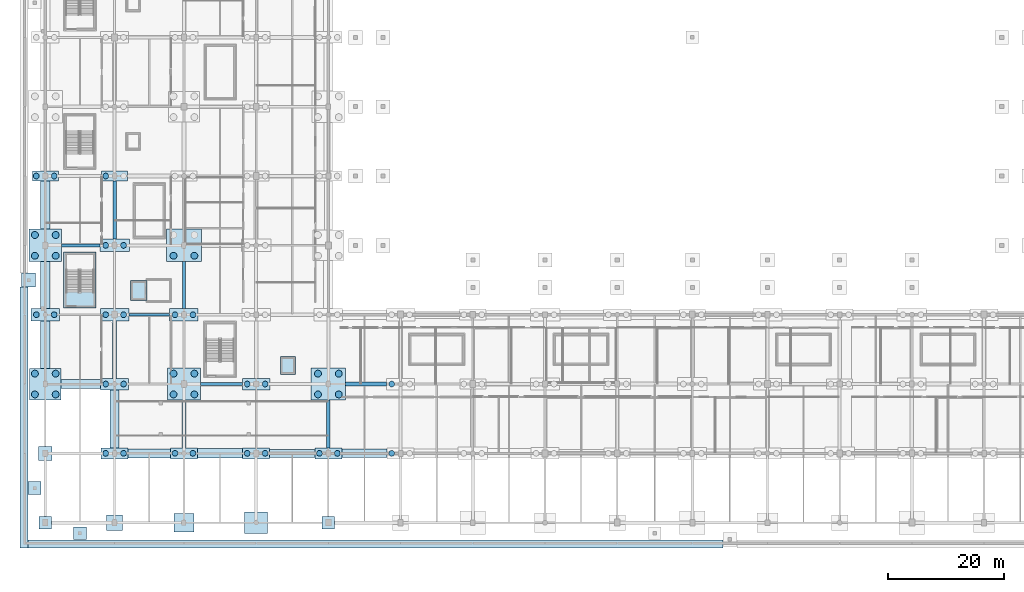
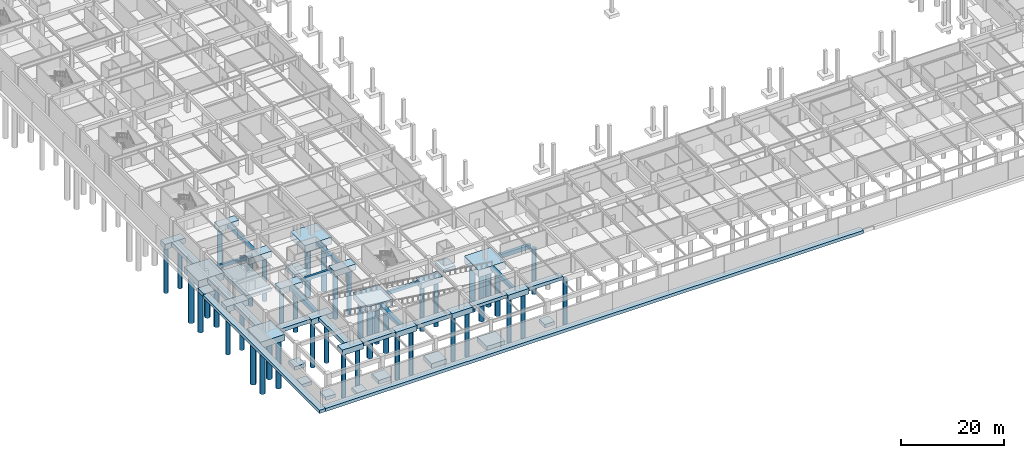
# One storey, part 1 of 56: 49 footings, 43 piles.
"""IFC4 building model written with IfcOpenShell, lengths in metres."""

from ifc_helpers import new_model, si_unit, direction, frame, origin, origin_2d, place, context, subcontext, project, spatial, polyline, rectangle, circle, outline, extrude, material, material_profile, profile_set, type_object, element, save


model = new_model("IFC4")

# Units and contexts
model_context = context("Model", 3, precision=1e-05, world=origin(), true_north=direction((0.0, 1.0)))
body_context = subcontext(model_context, "Body", "Model", "MODEL_VIEW")
ifc_project = project(units=[si_unit("LENGTHUNIT", "METRE"), si_unit("AREAUNIT", "SQUARE_METRE"), si_unit("VOLUMEUNIT", "CUBIC_METRE"), si_unit("PLANEANGLEUNIT", "RADIAN"), si_unit("MASSUNIT", "GRAM", prefix="KILO")], contexts=[model_context])

# Site, building, storey
site_placement = place(None, origin())
site = spatial("IfcSite", under=ifc_project, at=site_placement, CompositionType="ELEMENT")
building_placement = place(site_placement, origin())
building = spatial("IfcBuilding", under=site, at=building_placement, Name="Kazenohara Klinker Stadium", CompositionType="ELEMENT")
storey_placement = place(building_placement, frame((0.0, 0.0, -4.800048828125)))
storey = spatial("IfcBuildingStorey", under=building, at=storey_placement, Name="B01", CompositionType="ELEMENT", Elevation=-4.800048828125)

# Footings
ifc_material = material(Name="Concrete C35/45", Category="concrete")
footing_type_1 = type_object("IfcFootingType", Name="CAP-PC01", PredefinedType="PILE_CAP", material=ifc_material)
for number, where, z_axis, x_axis, name in (
    (1, (0.0, 60.0, -1.25), (0.0, 0.0, 1.0), (1.0, 0.0, 0.0), "Pile cap PC01 at 1/F"),
    (2, (12.0, 60.0, -1.25), (0.0, 0.0, 1.0), (1.0, 0.0, 0.0), "Pile cap PC01 at 2/F"),
):
    element("IfcFooting", number, at=place(storey_placement, frame(where, z_axis=z_axis, x_axis=x_axis)), inside=storey, type_object=footing_type_1, Name=name, PredefinedType="PILE_CAP", context=body_context, shape_type="SweptSolid", body=[
        extrude(rectangle(XDim=4.5, YDim=1.800048828125, at=origin_2d()), origin(), (0.0, 0.0, 1.0), 1.25),
    ])
footing_type_2 = type_object("IfcFootingType", Name="CAP-PC02", PredefinedType="PILE_CAP", material=ifc_material)
for number, where, z_axis, x_axis, name in (
    (3, (12.0, 12.0, -1.2998046875), (0.0, 0.0, 1.0), (1.0, 0.0, 0.0), "Pile cap PC02 at 2/B"),
    (4, (24.0, 12.0, -1.2998046875), (0.0, 0.0, 1.0), (1.0, 0.0, 0.0), "Pile cap PC02 at 3/B"),
    (5, (36.5, 12.0, -1.2998046875), (0.0, 0.0, 1.0), (1.0, 0.0, 0.0), "Pile cap PC02 at 4/B"),
    (6, (49.0, 12.0, -1.2998046875), (0.0, 0.0, 1.0), (1.0, 0.0, 0.0), "Pile cap PC02 at 5/B"),
):
    element("IfcFooting", number, at=place(storey_placement, frame(where, z_axis=z_axis, x_axis=x_axis)), inside=storey, type_object=footing_type_2, Name=name, PredefinedType="PILE_CAP", context=body_context, shape_type="SweptSolid", body=[
        extrude(rectangle(XDim=4.64990234375, YDim=1.89990234375, at=origin_2d()), origin(), (0.0, 0.0, 1.0), 1.300048828125),
    ])
footing_type_3 = type_object("IfcFootingType", Name="CAP-PC03", PredefinedType="PILE_CAP", material=ifc_material)
for number, where, z_axis, x_axis, name in (
    (7, (12.0, 24.0, -1.35009765625), (0.0, 0.0, 1.0), (1.0, 0.0, 0.0), "Pile cap PC03 at 2/C"),
    (8, (36.5, 24.0, -1.35009765625), (0.0, 0.0, 1.0), (1.0, 0.0, 0.0), "Pile cap PC03 at 4/C"),
):
    element("IfcFooting", number, at=place(storey_placement, frame(where, z_axis=z_axis, x_axis=x_axis)), inside=storey, type_object=footing_type_3, Name=name, PredefinedType="PILE_CAP", context=body_context, shape_type="SweptSolid", body=[
        extrude(rectangle(XDim=4.800048828125, YDim=2.0, at=origin_2d()), origin(), (0.0, 0.0, 1.0), 1.35009765625),
    ])
footing_type_4 = type_object("IfcFootingType", Name="CAP-PC04", PredefinedType="PILE_CAP", material=ifc_material)
for number, where, z_axis, x_axis, name in (
    (9, (0.0, 36.0, -1.39990234375), (0.0, 0.0, 1.0), (1.0, 0.0, 0.0), "Pile cap PC04 at 1/D"),
    (10, (12.0, 36.0, -1.39990234375), (0.0, 0.0, 1.0), (1.0, 0.0, 0.0), "Pile cap PC04 at 2/D"),
    (11, (24.0, 36.0, -1.39990234375), (0.0, 0.0, 1.0), (1.0, 0.0, 0.0), "Pile cap PC04 at 3/D"),
):
    element("IfcFooting", number, at=place(storey_placement, frame(where, z_axis=z_axis, x_axis=x_axis)), inside=storey, type_object=footing_type_4, Name=name, PredefinedType="PILE_CAP", context=body_context, shape_type="SweptSolid", body=[
        extrude(rectangle(XDim=4.949951171875, YDim=2.10009765625, at=origin_2d()), origin(), (0.0, 0.0, 1.0), 1.39990234375),
    ])
footing_type_5 = type_object("IfcFootingType", Name="CAP-PC05", PredefinedType="PILE_CAP", material=ifc_material)
footing_1_placement = place(storey_placement, frame((12.0, 48.0, -1.44970703125), z_axis=(0.0, 0.0, 1.0), x_axis=(1.0, 0.0, 0.0)))
element("IfcFooting", 12, at=footing_1_placement, inside=storey, type_object=footing_type_5, Name="Pile cap PC05 at 2/E", PredefinedType="PILE_CAP", context=body_context, shape_type="SweptSolid", body=[
    extrude(rectangle(XDim=5.10009765625, YDim=2.199951171875, at=origin_2d()), origin(), (0.0, 0.0, 1.0), 1.449951171875),
])
footing_type_6 = type_object("IfcFootingType", Name="CAP-PC08", PredefinedType="PILE_CAP", material=ifc_material)
footing_2_placement = place(storey_placement, frame((0.0, 24.0, -1.5), z_axis=(0.0, 0.0, 1.0), x_axis=(1.0, 0.0, 0.0)))
element("IfcFooting", 13, at=footing_2_placement, inside=storey, type_object=footing_type_6, Name="Pile cap PC08 at 1/C", PredefinedType="PILE_CAP", context=body_context, shape_type="SweptSolid", body=[
    extrude(rectangle(XDim=5.449951171875, YDim=5.449951171875, at=origin_2d()), origin(), (0.0, 0.0, 1.0), 1.5),
])
footing_type_7 = type_object("IfcFootingType", Name="CAP-PC10", PredefinedType="PILE_CAP", material=ifc_material)
for number, where, z_axis, x_axis, name in (
    (14, (0.0, 48.0, -1.60009765625), (0.0, 0.0, 1.0), (1.0, 0.0, 0.0), "Pile cap PC10 at 1/E"),
    (15, (24.0, 24.0, -1.60009765625), (0.0, 0.0, 1.0), (1.0, 0.0, 0.0), "Pile cap PC10 at 3/C"),
):
    element("IfcFooting", number, at=place(storey_placement, frame(where, z_axis=z_axis, x_axis=x_axis)), inside=storey, type_object=footing_type_7, Name=name, PredefinedType="PILE_CAP", context=body_context, shape_type="SweptSolid", body=[
        extrude(rectangle(XDim=5.699951171875, YDim=5.60009765625, at=origin_2d()), origin(), (0.0, 0.0, 1.0), 1.60009765625),
    ])
footing_type_8 = type_object("IfcFootingType", Name="CAP-PC12", PredefinedType="PILE_CAP", material=ifc_material)
for number, where, z_axis, x_axis, name in (
    (16, (24.0, 48.0, -1.69970703125), (0.0, 0.0, 1.0), (1.0, 0.0, 0.0), "Pile cap PC12 at 3/E"),
    (17, (49.0, 24.0, -1.69970703125), (0.0, 0.0, 1.0), (1.0, 0.0, 0.0), "Pile cap PC12 at 5/C"),
):
    element("IfcFooting", number, at=place(storey_placement, frame(where, z_axis=z_axis, x_axis=x_axis)), inside=storey, type_object=footing_type_8, Name=name, PredefinedType="PILE_CAP", context=body_context, shape_type="SweptSolid", body=[
        extrude(rectangle(XDim=6.0, YDim=5.60009765625, at=origin_2d()), origin(), (0.0, 0.0, 1.0), 1.699951171875),
    ])
footing_type_9 = type_object("IfcFootingType", Name="GBEAM-GB01", PredefinedType="FOOTING_BEAM", material=ifc_material)
footing_3_placement = place(storey_placement, frame((0.0, 0.0, -0.800048828125)))
element("IfcFooting", 18, at=footing_3_placement, inside=storey, type_object=footing_type_9, Name="Foundation tie beam GB01 1-2/E", PredefinedType="FOOTING_BEAM", context=body_context, shape_type="SweptSolid", body=[
    extrude(outline(polyline([(2.85009765625, 47.75), (9.449951171875, 47.75), (9.449951171875, 48.25), (2.85009765625, 48.25), (2.85009765625, 47.75)])), origin(), (0.0, 0.0, 1.0), 0.800048828125),
])
footing_4_placement = place(storey_placement, frame((0.0, 0.0, -0.800048828125)))
element("IfcFooting", 19, at=footing_4_placement, inside=storey, type_object=footing_type_9, Name="Foundation tie beam GB01 2-3/D", PredefinedType="FOOTING_BEAM", context=body_context, shape_type="SweptSolid", body=[
    extrude(outline(polyline([(14.47509765625, 35.75), (21.52490234375, 35.75), (21.52490234375, 36.25), (14.47509765625, 36.25), (14.47509765625, 35.75)])), origin(), (0.0, 0.0, 1.0), 0.800048828125),
])
footing_5_placement = place(storey_placement, frame((0.0, 0.0, -0.800048828125)))
element("IfcFooting", 20, at=footing_5_placement, inside=storey, type_object=footing_type_9, Name="Foundation tie beam GB01 3-4/C", PredefinedType="FOOTING_BEAM", context=body_context, shape_type="SweptSolid", body=[
    extrude(outline(polyline([(26.85009765625, 23.75), (34.10009765625, 23.75), (34.10009765625, 24.25), (26.85009765625, 24.25), (26.85009765625, 23.75)])), origin(), (0.0, 0.0, 1.0), 0.800048828125),
])
footing_type_10 = type_object("IfcFootingType", Name="GBEAM-GB02", PredefinedType="FOOTING_BEAM", material=ifc_material)
footing_6_placement = place(storey_placement, frame((0.0, 0.0, -0.8798828125)))
element("IfcFooting", 21, at=footing_6_placement, inside=storey, type_object=footing_type_10, Name="Foundation tie beam GB02 2/E-F", PredefinedType="FOOTING_BEAM", context=body_context, shape_type="SweptSolid", body=[
    extrude(outline(polyline([(11.7099609375, 49.10009765625), (12.2900390625, 49.10009765625), (12.2900390625, 59.10009765625), (11.7099609375, 59.10009765625), (11.7099609375, 49.10009765625)])), origin(), (0.0, 0.0, 1.0), 0.8798828125),
])
footing_7_placement = place(storey_placement, frame((0.0, 0.0, -0.8798828125)))
element("IfcFooting", 22, at=footing_7_placement, inside=storey, type_object=footing_type_10, Name="Foundation tie beam GB02 3/D-E", PredefinedType="FOOTING_BEAM", context=body_context, shape_type="SweptSolid", body=[
    extrude(outline(polyline([(23.7099609375, 37.050048828125), (24.2900390625, 37.050048828125), (24.2900390625, 45.199951171875), (23.7099609375, 45.199951171875), (23.7099609375, 37.050048828125)])), origin(), (0.0, 0.0, 1.0), 0.8798828125),
])
footing_8_placement = place(storey_placement, frame((0.0, 0.0, -0.8798828125)))
element("IfcFooting", 23, at=footing_8_placement, inside=storey, type_object=footing_type_10, Name="Foundation tie beam GB02 5/B-C", PredefinedType="FOOTING_BEAM", context=body_context, shape_type="SweptSolid", body=[
    extrude(outline(polyline([(48.7099609375, 12.949951171875), (49.2900390625, 12.949951171875), (49.2900390625, 21.199951171875), (48.7099609375, 21.199951171875), (48.7099609375, 12.949951171875)])), origin(), (0.0, 0.0, 1.0), 0.8798828125),
])
footing_type_11 = type_object("IfcFootingType", Name="GBEAM-GB03", PredefinedType="FOOTING_BEAM", material=ifc_material)
footing_9_placement = place(storey_placement, frame((0.0, 0.0, -0.9599609375)))
element("IfcFooting", 24, at=footing_9_placement, inside=storey, type_object=footing_type_11, Name="Foundation tie beam GB03 5-6/C", PredefinedType="FOOTING_BEAM", context=body_context, shape_type="SweptSolid", body=[
    extrude(outline(polyline([(52.0, 23.675048828125), (59.10009765625, 23.675048828125), (59.10009765625, 24.324951171875), (52.0, 24.324951171875), (52.0, 23.675048828125)])), origin(), (0.0, 0.0, 1.0), 0.9599609375),
])
footing_type_12 = type_object("IfcFootingType", Name="GBEAM-GB04", PredefinedType="FOOTING_BEAM", material=ifc_material)
footing_10_placement = place(storey_placement, frame((0.0, 0.0, -1.050048828125)))
element("IfcFooting", 25, at=footing_10_placement, inside=storey, type_object=footing_type_12, Name="Foundation tie beam GB04 2/C-D", PredefinedType="FOOTING_BEAM", context=body_context, shape_type="SweptSolid", body=[
    extrude(outline(polyline([(11.639892578125, 25.0), (12.360107421875, 25.0), (12.360107421875, 34.949951171875), (11.639892578125, 34.949951171875), (11.639892578125, 25.0)])), origin(), (0.0, 0.0, 1.0), 1.050048828125),
])
footing_11_placement = place(storey_placement, frame((0.0, 0.0, -1.050048828125)))
element("IfcFooting", 26, at=footing_11_placement, inside=storey, type_object=footing_type_12, Name="Foundation tie beam GB04 3/B-C", PredefinedType="FOOTING_BEAM", context=body_context, shape_type="SweptSolid", body=[
    extrude(outline(polyline([(23.639892578125, 12.949951171875), (24.360107421875, 12.949951171875), (24.360107421875, 21.199951171875), (23.639892578125, 21.199951171875), (23.639892578125, 12.949951171875)])), origin(), (0.0, 0.0, 1.0), 1.050048828125),
])
footing_type_13 = type_object("IfcFootingType", Name="PAD-PF01", PredefinedType="PAD_FOOTING", material=ifc_material)
for number, where, z_axis, x_axis, name in (
    (27, (0.0, 0.0, -0.7998046875), (0.0, 0.0, 1.0), (1.0, 0.0, 0.0), "Spread footing PF01 at 1/A"),
    (28, (49.0, 0.0, -0.7998046875), (0.0, 0.0, 1.0), (1.0, 0.0, 0.0), "Spread footing PF01 at 5/A"),
    (29, (-1.85009765625, 6.0, -0.7998046875), (0.0, 0.0, 1.0), (1.0, 0.0, 0.0), "Exterior plinth support pad PF01 PLAZA-WEST-1"),
    (30, (6.0, -1.85009765625, -0.7998046875), (0.0, 0.0, 1.0), (1.0, 0.0, 0.0), "Exterior plinth support pad PF01 PLAZA-SOUTH-1"),
):
    element("IfcFooting", number, at=place(storey_placement, frame(where, z_axis=z_axis, x_axis=x_axis)), inside=storey, type_object=footing_type_13, Name=name, PredefinedType="PAD_FOOTING", context=body_context, shape_type="SweptSolid", body=[
        extrude(rectangle(XDim=2.199951171875, YDim=2.199951171875, at=origin_2d()), origin(), (0.0, 0.0, 1.0), 0.800048828125),
    ])
footing_type_14 = type_object("IfcFootingType", Name="PAD-PF02", PredefinedType="PAD_FOOTING", material=ifc_material)
for number, where, z_axis, x_axis, name in (
    (31, (0.0, 12.0, -0.85009765625), (0.0, 0.0, 1.0), (1.0, 0.0, 0.0), "Spread footing PF02 at 1/B"),
    (32, (-2.89990234375, 42.0, -0.85009765625), (0.0, 0.0, 1.0), (1.0, 0.0, 0.0), "Barrier-free ramp foundation pad W1"),
):
    element("IfcFooting", number, at=place(storey_placement, frame(where, z_axis=z_axis, x_axis=x_axis)), inside=storey, type_object=footing_type_14, Name=name, PredefinedType="PAD_FOOTING", context=body_context, shape_type="SweptSolid", body=[
        extrude(rectangle(XDim=2.39990234375, YDim=2.39990234375, at=origin_2d()), origin(), (0.0, 0.0, 1.0), 0.85009765625),
    ])
footing_type_15 = type_object("IfcFootingType", Name="PAD-PF03", PredefinedType="PAD_FOOTING", material=ifc_material)
footing_12_placement = place(storey_placement, frame((0.0, 0.0, -1.5)))
element("IfcFooting", 33, at=footing_12_placement, inside=storey, type_object=footing_type_15, Name="Elevator pit foundation pad LF01", PredefinedType="PAD_FOOTING", context=body_context, shape_type="SweptSolid", body=[
    extrude(outline(polyline([(14.784912109375, 38.485107421875), (17.614990234375, 38.485107421875), (17.614990234375, 41.9150390625), (14.784912109375, 41.9150390625), (14.784912109375, 38.485107421875)])), origin(), (0.0, 0.0, 1.0), 0.85009765625),
])
footing_13_placement = place(storey_placement, frame((0.0, 0.0, -1.5)))
element("IfcFooting", 34, at=footing_13_placement, inside=storey, type_object=footing_type_15, Name="Elevator pit foundation pad LP03", PredefinedType="PAD_FOOTING", context=body_context, shape_type="SweptSolid", body=[
    extrude(outline(polyline([(40.68505859375, 25.635009765625), (43.31494140625, 25.635009765625), (43.31494140625, 28.764892578125), (40.68505859375, 28.764892578125), (40.68505859375, 25.635009765625)])), origin(), (0.0, 0.0, 1.0), 0.85009765625),
])
footing_type_16 = type_object("IfcFootingType", Name="PAD-PF04", PredefinedType="PAD_FOOTING", material=ifc_material)
footing_14_placement = place(storey_placement, frame((12.0, 0.0, -0.94970703125), z_axis=(0.0, 0.0, 1.0), x_axis=(1.0, 0.0, 0.0)))
element("IfcFooting", 35, at=footing_14_placement, inside=storey, type_object=footing_type_16, Name="Spread footing PF04 at 2/A", PredefinedType="PAD_FOOTING", context=body_context, shape_type="SweptSolid", body=[
    extrude(rectangle(XDim=2.800048828125, YDim=2.699951171875, at=origin_2d()), origin(), (0.0, 0.0, 1.0), 0.949951171875),
])
footing_15_placement = place(storey_placement, frame((0.0, 0.0, -1.550048828125)))
element("IfcFooting", 36, at=footing_15_placement, inside=storey, type_object=footing_type_16, Name="Stairwell core foundation raft ST01", PredefinedType="PAD_FOOTING", context=body_context, shape_type="SweptSolid", body=[
    extrude(outline(polyline([(3.18505859375, 37.125), (8.81494140625, 37.125), (8.81494140625, 46.875), (3.18505859375, 46.875), (3.18505859375, 37.125)])), origin(), (0.0, 0.0, 1.0), 0.900146484375),
])
footing_type_17 = type_object("IfcFootingType", Name="PAD-PF07", PredefinedType="PAD_FOOTING", material=ifc_material)
footing_16_placement = place(storey_placement, frame((24.0, 0.0, -1.10009765625), z_axis=(0.0, 0.0, 1.0), x_axis=(1.0, 0.0, 0.0)))
element("IfcFooting", 37, at=footing_16_placement, inside=storey, type_object=footing_type_17, Name="Spread footing PF07 at 3/A", PredefinedType="PAD_FOOTING", context=body_context, shape_type="SweptSolid", body=[
    extrude(rectangle(XDim=3.39990234375, YDim=3.199951171875, at=origin_2d()), origin(), (0.0, 0.0, 1.0), 1.10009765625),
])
footing_type_18 = type_object("IfcFootingType", Name="PAD-PF10", PredefinedType="PAD_FOOTING", material=ifc_material)
footing_17_placement = place(storey_placement, frame((36.5, 0.0, -1.25), z_axis=(0.0, 0.0, 1.0), x_axis=(1.0, 0.0, 0.0)))
element("IfcFooting", 38, at=footing_17_placement, inside=storey, type_object=footing_type_18, Name="Spread footing PF10 at 4/A", PredefinedType="PAD_FOOTING", context=body_context, shape_type="SweptSolid", body=[
    extrude(rectangle(XDim=4.0, YDim=3.75, at=origin_2d()), origin(), (0.0, 0.0, 1.0), 1.25),
])

# Piles
ifc_material_profile_1 = material_profile(ifc_material, circle(Radius=0.5, at=origin_2d()), Name="BORED-PILE-1000")
ifc_profile_set_1 = profile_set([ifc_material_profile_1], Name="Concrete C35/45")
pile_type_1 = type_object("IfcPileType", Name="PILE-P01-1000", PredefinedType="BORED", material=ifc_profile_set_1)
for number, where, z_axis, x_axis, name in (
    (39, (-1.550048828125, 36.0, -1.300048828125), (0.0, 0.0, -1.0), (1.0, 0.0, 0.0), "Bored pile P01-0003-1"),
    (40, (1.550048828125, 36.0, -1.300048828125), (0.0, 0.0, -1.0), (1.0, 0.0, 0.0), "Bored pile P01-0003-2"),
):
    element("IfcPile", number, at=place(storey_placement, frame(where, z_axis=z_axis, x_axis=x_axis)), inside=storey, type_object=pile_type_1, Name=name, PredefinedType="BORED", context=body_context, shape_type="SweptSolid", body=[
        extrude(circle(Radius=0.5, at=origin_2d()), origin(), (0.0, 0.0, 1.0), 10.699951171875),
    ])
for number, where, z_axis, x_axis, name in (
    (41, (-1.550048828125, 60.0, -1.14990234375), (0.0, 0.0, -1.0), (1.0, 0.0, 0.0), "Bored pile P01-0005-1"),
    (42, (1.550048828125, 60.0, -1.14990234375), (0.0, 0.0, -1.0), (1.0, 0.0, 0.0), "Bored pile P01-0005-2"),
):
    element("IfcPile", number, at=place(storey_placement, frame(where, z_axis=z_axis, x_axis=x_axis)), inside=storey, type_object=pile_type_1, Name=name, PredefinedType="BORED", context=body_context, shape_type="SweptSolid", body=[
        extrude(circle(Radius=0.5, at=origin_2d()), origin(), (0.0, 0.0, 1.0), 10.85009765625),
    ])
for number, where, z_axis, x_axis, name in (
    (43, (10.449951171875, 12.0, -1.199951171875), (0.0, 0.0, -1.0), (1.0, 0.0, 0.0), "Bored pile P01-0101-1"),
    (44, (13.550048828125, 12.0, -1.199951171875), (0.0, 0.0, -1.0), (1.0, 0.0, 0.0), "Bored pile P01-0101-2"),
):
    element("IfcPile", number, at=place(storey_placement, frame(where, z_axis=z_axis, x_axis=x_axis)), inside=storey, type_object=pile_type_1, Name=name, PredefinedType="BORED", context=body_context, shape_type="SweptSolid", body=[
        extrude(circle(Radius=0.5, at=origin_2d()), origin(), (0.0, 0.0, 1.0), 10.800048828125),
    ])
for number, where, z_axis, x_axis, name in (
    (45, (10.449951171875, 24.0, -1.25), (0.0, 0.0, -1.0), (1.0, 0.0, 0.0), "Bored pile P01-0102-1"),
    (46, (13.550048828125, 24.0, -1.25), (0.0, 0.0, -1.0), (1.0, 0.0, 0.0), "Bored pile P01-0102-2"),
):
    element("IfcPile", number, at=place(storey_placement, frame(where, z_axis=z_axis, x_axis=x_axis)), inside=storey, type_object=pile_type_1, Name=name, PredefinedType="BORED", context=body_context, shape_type="SweptSolid", body=[
        extrude(circle(Radius=0.5, at=origin_2d()), origin(), (0.0, 0.0, 1.0), 10.75),
    ])
for number, where, z_axis, x_axis, name in (
    (47, (10.449951171875, 36.0, -1.300048828125), (0.0, 0.0, -1.0), (1.0, 0.0, 0.0), "Bored pile P01-0103-1"),
    (48, (13.550048828125, 36.0, -1.300048828125), (0.0, 0.0, -1.0), (1.0, 0.0, 0.0), "Bored pile P01-0103-2"),
):
    element("IfcPile", number, at=place(storey_placement, frame(where, z_axis=z_axis, x_axis=x_axis)), inside=storey, type_object=pile_type_1, Name=name, PredefinedType="BORED", context=body_context, shape_type="SweptSolid", body=[
        extrude(circle(Radius=0.5, at=origin_2d()), origin(), (0.0, 0.0, 1.0), 10.699951171875),
    ])
for number, where, z_axis, x_axis, name in (
    (49, (10.449951171875, 48.0, -1.349853515625), (0.0, 0.0, -1.0), (1.0, 0.0, 0.0), "Bored pile P01-0104-1"),
    (50, (13.550048828125, 48.0, -1.349853515625), (0.0, 0.0, -1.0), (1.0, 0.0, 0.0), "Bored pile P01-0104-2"),
):
    element("IfcPile", number, at=place(storey_placement, frame(where, z_axis=z_axis, x_axis=x_axis)), inside=storey, type_object=pile_type_1, Name=name, PredefinedType="BORED", context=body_context, shape_type="SweptSolid", body=[
        extrude(circle(Radius=0.5, at=origin_2d()), origin(), (0.0, 0.0, 1.0), 10.64990234375),
    ])
pile_1_placement = place(storey_placement, frame((10.449951171875, 60.0, -1.14990234375), z_axis=(0.0, 0.0, -1.0), x_axis=(1.0, 0.0, 0.0)))
element("IfcPile", 51, at=pile_1_placement, inside=storey, type_object=pile_type_1, Name="Bored pile P01-0105-1", PredefinedType="BORED", context=body_context, shape_type="SweptSolid", body=[
    extrude(circle(Radius=0.5, at=origin_2d()), origin(), (0.0, 0.0, 1.0), 10.85009765625),
])
for number, where, z_axis, x_axis, name in (
    (52, (22.449951171875, 12.0, -1.199951171875), (0.0, 0.0, -1.0), (1.0, 0.0, 0.0), "Bored pile P01-0201-1"),
    (53, (25.550048828125, 12.0, -1.199951171875), (0.0, 0.0, -1.0), (1.0, 0.0, 0.0), "Bored pile P01-0201-2"),
):
    element("IfcPile", number, at=place(storey_placement, frame(where, z_axis=z_axis, x_axis=x_axis)), inside=storey, type_object=pile_type_1, Name=name, PredefinedType="BORED", context=body_context, shape_type="SweptSolid", body=[
        extrude(circle(Radius=0.5, at=origin_2d()), origin(), (0.0, 0.0, 1.0), 10.800048828125),
    ])
for number, where, z_axis, x_axis, name in (
    (54, (22.449951171875, 36.0, -1.300048828125), (0.0, 0.0, -1.0), (1.0, 0.0, 0.0), "Bored pile P01-0203-1"),
    (55, (25.550048828125, 36.0, -1.300048828125), (0.0, 0.0, -1.0), (1.0, 0.0, 0.0), "Bored pile P01-0203-2"),
):
    element("IfcPile", number, at=place(storey_placement, frame(where, z_axis=z_axis, x_axis=x_axis)), inside=storey, type_object=pile_type_1, Name=name, PredefinedType="BORED", context=body_context, shape_type="SweptSolid", body=[
        extrude(circle(Radius=0.5, at=origin_2d()), origin(), (0.0, 0.0, 1.0), 10.699951171875),
    ])
for number, where, z_axis, x_axis, name in (
    (56, (34.949951171875, 12.0, -1.199951171875), (0.0, 0.0, -1.0), (1.0, 0.0, 0.0), "Bored pile P01-0301-1"),
    (57, (38.050048828125, 12.0, -1.199951171875), (0.0, 0.0, -1.0), (1.0, 0.0, 0.0), "Bored pile P01-0301-2"),
):
    element("IfcPile", number, at=place(storey_placement, frame(where, z_axis=z_axis, x_axis=x_axis)), inside=storey, type_object=pile_type_1, Name=name, PredefinedType="BORED", context=body_context, shape_type="SweptSolid", body=[
        extrude(circle(Radius=0.5, at=origin_2d()), origin(), (0.0, 0.0, 1.0), 10.800048828125),
    ])
for number, where, z_axis, x_axis, name in (
    (58, (34.949951171875, 24.0, -1.25), (0.0, 0.0, -1.0), (1.0, 0.0, 0.0), "Bored pile P01-0302-1"),
    (59, (38.050048828125, 24.0, -1.25), (0.0, 0.0, -1.0), (1.0, 0.0, 0.0), "Bored pile P01-0302-2"),
):
    element("IfcPile", number, at=place(storey_placement, frame(where, z_axis=z_axis, x_axis=x_axis)), inside=storey, type_object=pile_type_1, Name=name, PredefinedType="BORED", context=body_context, shape_type="SweptSolid", body=[
        extrude(circle(Radius=0.5, at=origin_2d()), origin(), (0.0, 0.0, 1.0), 10.75),
    ])
for number, where, z_axis, x_axis, name in (
    (60, (47.449951171875, 12.0, -1.199951171875), (0.0, 0.0, -1.0), (1.0, 0.0, 0.0), "Bored pile P01-0401-1"),
    (61, (50.550048828125, 12.0, -1.199951171875), (0.0, 0.0, -1.0), (1.0, 0.0, 0.0), "Bored pile P01-0401-2"),
    (62, (59.949951171875, 12.0, -1.199951171875), (0.0, 0.0, -1.0), (1.0, 0.0, 0.0), "Bored pile P01-0501-1"),
):
    element("IfcPile", number, at=place(storey_placement, frame(where, z_axis=z_axis, x_axis=x_axis)), inside=storey, type_object=pile_type_1, Name=name, PredefinedType="BORED", context=body_context, shape_type="SweptSolid", body=[
        extrude(circle(Radius=0.5, at=origin_2d()), origin(), (0.0, 0.0, 1.0), 10.800048828125),
    ])
pile_2_placement = place(storey_placement, frame((59.949951171875, 24.0, -1.25), z_axis=(0.0, 0.0, -1.0), x_axis=(1.0, 0.0, 0.0)))
element("IfcPile", 63, at=pile_2_placement, inside=storey, type_object=pile_type_1, Name="Bored pile P01-0502-1", PredefinedType="BORED", context=body_context, shape_type="SweptSolid", body=[
    extrude(circle(Radius=0.5, at=origin_2d()), origin(), (0.0, 0.0, 1.0), 10.75),
])
ifc_material_profile_2 = material_profile(ifc_material, circle(Radius=0.60009765625, at=origin_2d()), Name="BORED-PILE-1200")
ifc_profile_set_2 = profile_set([ifc_material_profile_2], Name="Concrete C35/45")
pile_type_2 = type_object("IfcPileType", Name="PILE-P02-1200", PredefinedType="BORED", material=ifc_profile_set_2)
for number, where, z_axis, x_axis, name in (
    (64, (-1.800048828125, 22.199951171875, -1.39990234375), (0.0, 0.0, -1.0), (1.0, 0.0, 0.0), "Bored pile P02-0002-1"),
    (65, (1.800048828125, 22.199951171875, -1.39990234375), (0.0, 0.0, -1.0), (1.0, 0.0, 0.0), "Bored pile P02-0002-2"),
    (66, (-1.800048828125, 25.800048828125, -1.39990234375), (0.0, 0.0, -1.0), (1.0, 0.0, 0.0), "Bored pile P02-0002-3"),
    (67, (1.800048828125, 25.800048828125, -1.39990234375), (0.0, 0.0, -1.0), (1.0, 0.0, 0.0), "Bored pile P02-0002-4"),
):
    element("IfcPile", number, at=place(storey_placement, frame(where, z_axis=z_axis, x_axis=x_axis)), inside=storey, type_object=pile_type_2, Name=name, PredefinedType="BORED", context=body_context, shape_type="SweptSolid", body=[
        extrude(circle(Radius=0.60009765625, at=origin_2d()), origin(), (0.0, 0.0, 1.0), 11.39990234375),
    ])
for number, where, z_axis, x_axis, name in (
    (68, (-1.800048828125, 46.199951171875, -1.5), (0.0, 0.0, -1.0), (1.0, 0.0, 0.0), "Bored pile P02-0004-1"),
    (69, (1.800048828125, 46.199951171875, -1.5), (0.0, 0.0, -1.0), (1.0, 0.0, 0.0), "Bored pile P02-0004-2"),
    (70, (-1.800048828125, 49.800048828125, -1.5), (0.0, 0.0, -1.0), (1.0, 0.0, 0.0), "Bored pile P02-0004-3"),
    (71, (1.800048828125, 49.800048828125, -1.5), (0.0, 0.0, -1.0), (1.0, 0.0, 0.0), "Bored pile P02-0004-4"),
    (72, (22.199951171875, 22.199951171875, -1.5), (0.0, 0.0, -1.0), (1.0, 0.0, 0.0), "Bored pile P02-0202-1"),
    (73, (25.800048828125, 22.199951171875, -1.5), (0.0, 0.0, -1.0), (1.0, 0.0, 0.0), "Bored pile P02-0202-2"),
    (74, (22.199951171875, 25.800048828125, -1.5), (0.0, 0.0, -1.0), (1.0, 0.0, 0.0), "Bored pile P02-0202-3"),
    (75, (25.800048828125, 25.800048828125, -1.5), (0.0, 0.0, -1.0), (1.0, 0.0, 0.0), "Bored pile P02-0202-4"),
):
    element("IfcPile", number, at=place(storey_placement, frame(where, z_axis=z_axis, x_axis=x_axis)), inside=storey, type_object=pile_type_2, Name=name, PredefinedType="BORED", context=body_context, shape_type="SweptSolid", body=[
        extrude(circle(Radius=0.60009765625, at=origin_2d()), origin(), (0.0, 0.0, 1.0), 11.300048828125),
    ])
for number, where, z_axis, x_axis, name in (
    (76, (22.199951171875, 46.199951171875, -1.599853515625), (0.0, 0.0, -1.0), (1.0, 0.0, 0.0), "Bored pile P02-0204-1"),
    (77, (25.800048828125, 46.199951171875, -1.599853515625), (0.0, 0.0, -1.0), (1.0, 0.0, 0.0), "Bored pile P02-0204-2"),
    (78, (47.199951171875, 22.199951171875, -1.599853515625), (0.0, 0.0, -1.0), (1.0, 0.0, 0.0), "Bored pile P02-0402-1"),
    (79, (50.800048828125, 22.199951171875, -1.599853515625), (0.0, 0.0, -1.0), (1.0, 0.0, 0.0), "Bored pile P02-0402-2"),
    (80, (47.199951171875, 25.800048828125, -1.599853515625), (0.0, 0.0, -1.0), (1.0, 0.0, 0.0), "Bored pile P02-0402-3"),
    (81, (50.800048828125, 25.800048828125, -1.599853515625), (0.0, 0.0, -1.0), (1.0, 0.0, 0.0), "Bored pile P02-0402-4"),
):
    element("IfcPile", number, at=place(storey_placement, frame(where, z_axis=z_axis, x_axis=x_axis)), inside=storey, type_object=pile_type_2, Name=name, PredefinedType="BORED", context=body_context, shape_type="SweptSolid", body=[
        extrude(circle(Radius=0.60009765625, at=origin_2d()), origin(), (0.0, 0.0, 1.0), 11.199951171875),
    ])

# Footings
footing_type_19 = type_object("IfcFootingType", Name="STRIP-SF01", PredefinedType="STRIP_FOOTING", material=ifc_material)
footing_18_placement = place(storey_placement, frame((0.0, 0.0, -0.75)))
element("IfcFooting", 82, at=footing_18_placement, inside=storey, type_object=footing_type_19, Name="Perimeter strip footing SF01 4-5/B", PredefinedType="STRIP_FOOTING", context=body_context, shape_type="SweptSolid", body=[
    extrude(outline(polyline([(38.824951171875, 11.324951171875), (46.675048828125, 11.324951171875), (46.675048828125, 12.675048828125), (38.824951171875, 12.675048828125), (38.824951171875, 11.324951171875)])), origin(), (0.0, 0.0, 1.0), 0.75),
])
footing_19_placement = place(storey_placement, frame((0.0, 0.0, -0.75)))
element("IfcFooting", 83, at=footing_19_placement, inside=storey, type_object=footing_type_19, Name="Street plinth strip footing SF01 West-01", PredefinedType="STRIP_FOOTING", context=body_context, shape_type="SweptSolid", body=[
    extrude(outline(polyline([(-4.375, -4.35009765625), (-3.02490234375, -4.35009765625), (-3.02490234375, 40.780029296875), (-4.375, 40.780029296875), (-4.375, -4.35009765625)])), origin(), (0.0, 0.0, 1.0), 0.75),
])
footing_20_placement = place(storey_placement, frame((0.0, 0.0, -0.75)))
element("IfcFooting", 84, at=footing_20_placement, inside=storey, type_object=footing_type_19, Name="Street plinth strip footing SF01 South-01", PredefinedType="STRIP_FOOTING", context=body_context, shape_type="SweptSolid", body=[
    extrude(outline(polyline([(-3.0, -4.375), (117.280029296875, -4.375), (117.280029296875, -3.02490234375), (-3.0, -3.02490234375), (-3.0, -4.375)])), origin(), (0.0, 0.0, 1.0), 0.75),
])
footing_type_20 = type_object("IfcFootingType", Name="STRIP-SF02", PredefinedType="STRIP_FOOTING", material=ifc_material)
footing_21_placement = place(storey_placement, frame((0.0, 0.0, -0.800048828125)))
element("IfcFooting", 85, at=footing_21_placement, inside=storey, type_object=footing_type_20, Name="Perimeter strip footing SF02 5-6/B", PredefinedType="STRIP_FOOTING", context=body_context, shape_type="SweptSolid", body=[
    extrude(outline(polyline([(51.324951171875, 11.27490234375), (59.175048828125, 11.27490234375), (59.175048828125, 12.72509765625), (51.324951171875, 12.72509765625), (51.324951171875, 11.27490234375)])), origin(), (0.0, 0.0, 1.0), 0.800048828125),
])
footing_type_21 = type_object("IfcFootingType", Name="STRIP-SF03", PredefinedType="STRIP_FOOTING", material=ifc_material)
footing_22_placement = place(storey_placement, frame((0.0, 0.0, -0.8798828125)))
element("IfcFooting", 86, at=footing_22_placement, inside=storey, type_object=footing_type_21, Name="Perimeter strip footing SF03 1-2/C", PredefinedType="STRIP_FOOTING", context=body_context, shape_type="SweptSolid", body=[
    extrude(outline(polyline([(2.72509765625, 23.22509765625), (9.60009765625, 23.22509765625), (9.60009765625, 24.77490234375), (2.72509765625, 24.77490234375), (2.72509765625, 23.22509765625)])), origin(), (0.0, 0.0, 1.0), 0.8798828125),
])
footing_23_placement = place(storey_placement, frame((0.0, 0.0, -0.8798828125)))
element("IfcFooting", 87, at=footing_23_placement, inside=storey, type_object=footing_type_21, Name="Perimeter strip footing SF03 2-3/B", PredefinedType="STRIP_FOOTING", context=body_context, shape_type="SweptSolid", body=[
    extrude(outline(polyline([(14.324951171875, 11.22509765625), (21.675048828125, 11.22509765625), (21.675048828125, 12.77490234375), (14.324951171875, 12.77490234375), (14.324951171875, 11.22509765625)])), origin(), (0.0, 0.0, 1.0), 0.8798828125),
])
footing_24_placement = place(storey_placement, frame((0.0, 0.0, -0.8798828125)))
element("IfcFooting", 88, at=footing_24_placement, inside=storey, type_object=footing_type_21, Name="Perimeter strip footing SF03 2/B-C", PredefinedType="STRIP_FOOTING", context=body_context, shape_type="SweptSolid", body=[
    extrude(outline(polyline([(11.22509765625, 12.949951171875), (12.77490234375, 12.949951171875), (12.77490234375, 23.0), (11.22509765625, 23.0), (11.22509765625, 12.949951171875)])), origin(), (0.0, 0.0, 1.0), 0.8798828125),
])
footing_type_22 = type_object("IfcFootingType", Name="STRIP-SF04", PredefinedType="STRIP_FOOTING", material=ifc_material)
footing_25_placement = place(storey_placement, frame((0.0, 0.0, -0.949951171875)))
element("IfcFooting", 89, at=footing_25_placement, inside=storey, type_object=footing_type_22, Name="Perimeter strip footing SF04 3-4/B", PredefinedType="STRIP_FOOTING", context=body_context, shape_type="SweptSolid", body=[
    extrude(outline(polyline([(26.324951171875, 11.175048828125), (34.175048828125, 11.175048828125), (34.175048828125, 12.824951171875), (26.324951171875, 12.824951171875), (26.324951171875, 11.175048828125)])), origin(), (0.0, 0.0, 1.0), 0.949951171875),
])
footing_26_placement = place(storey_placement, frame((0.0, 0.0, -0.949951171875)))
element("IfcFooting", 90, at=footing_26_placement, inside=storey, type_object=footing_type_22, Name="Perimeter strip footing SF04 1/C-D", PredefinedType="STRIP_FOOTING", context=body_context, shape_type="SweptSolid", body=[
    extrude(outline(polyline([(-0.824951171875, 26.72509765625), (0.824951171875, 26.72509765625), (0.824951171875, 34.949951171875), (-0.824951171875, 34.949951171875), (-0.824951171875, 26.72509765625)])), origin(), (0.0, 0.0, 1.0), 0.949951171875),
])
footing_27_placement = place(storey_placement, frame((0.0, 0.0, -0.949951171875)))
element("IfcFooting", 91, at=footing_27_placement, inside=storey, type_object=footing_type_22, Name="Perimeter strip footing SF04 1/D-E", PredefinedType="STRIP_FOOTING", context=body_context, shape_type="SweptSolid", body=[
    extrude(outline(polyline([(-0.824951171875, 37.050048828125), (0.824951171875, 37.050048828125), (0.824951171875, 45.199951171875), (-0.824951171875, 45.199951171875), (-0.824951171875, 37.050048828125)])), origin(), (0.0, 0.0, 1.0), 0.949951171875),
])
footing_28_placement = place(storey_placement, frame((0.0, 0.0, -0.949951171875)))
element("IfcFooting", 92, at=footing_28_placement, inside=storey, type_object=footing_type_22, Name="Perimeter strip footing SF04 1/E-F", PredefinedType="STRIP_FOOTING", context=body_context, shape_type="SweptSolid", body=[
    extrude(outline(polyline([(-0.824951171875, 50.800048828125), (0.824951171875, 50.800048828125), (0.824951171875, 59.10009765625), (-0.824951171875, 59.10009765625), (-0.824951171875, 50.800048828125)])), origin(), (0.0, 0.0, 1.0), 0.949951171875),
])

save(model, "model.ifc")
